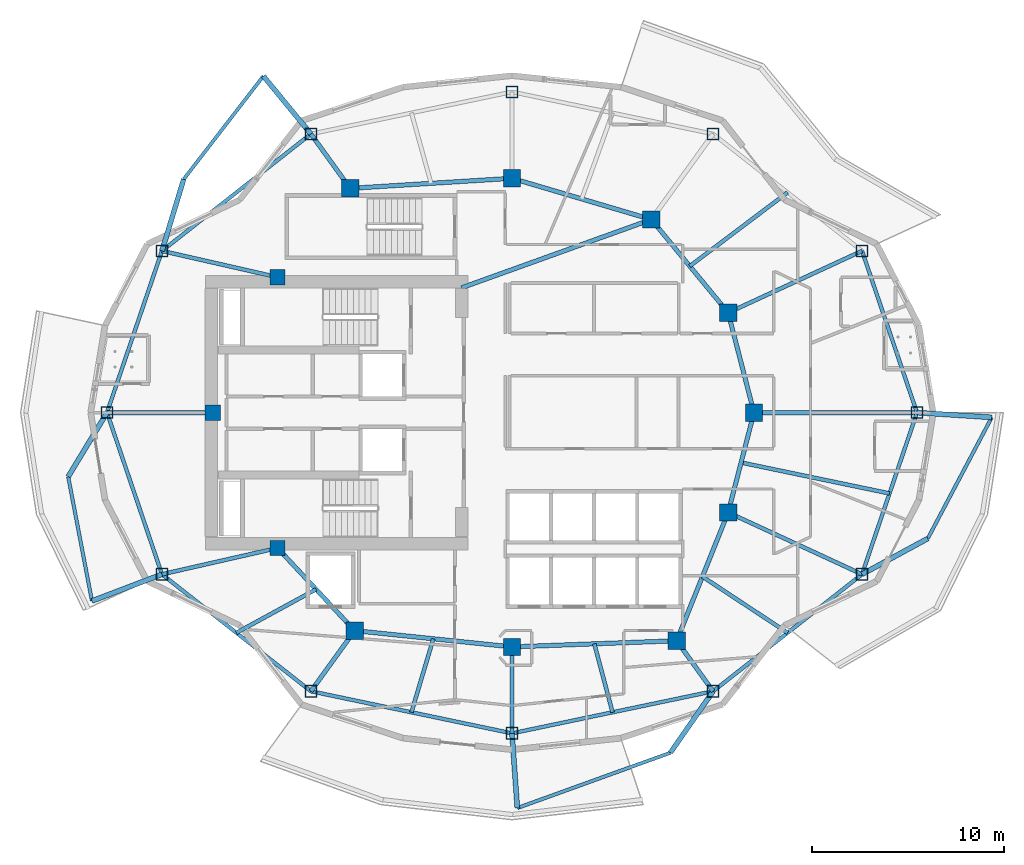
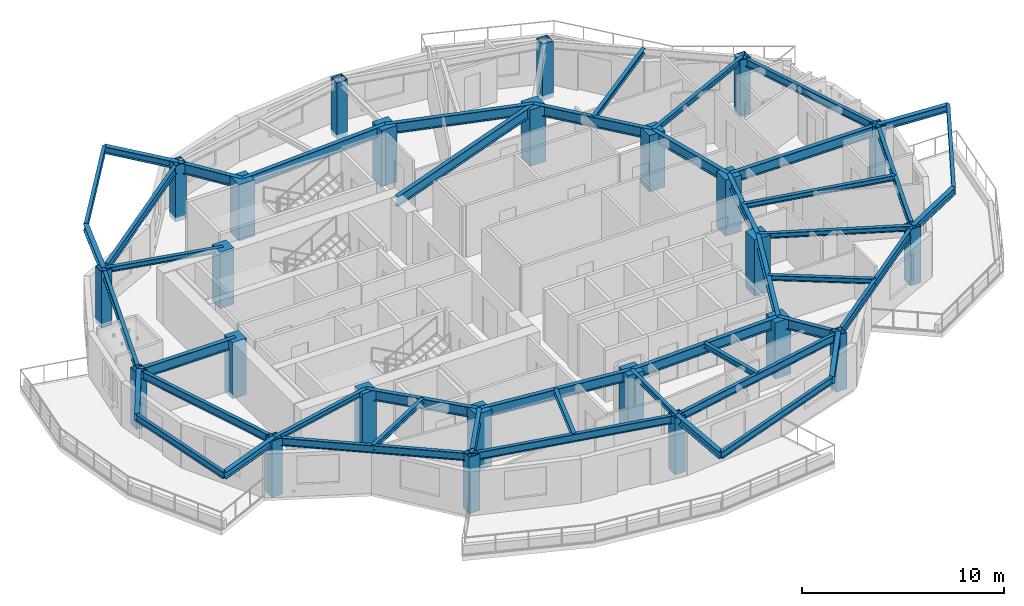
# One storey, part 1 of 13: 47 beams, 24 columns.
"""IFC4 building model written with IfcOpenShell, lengths in metres."""

from ifc_helpers import new_model, si_unit, direction, frame, origin, origin_2d, place, context, subcontext, project, spatial, rectangle, hollow_rectangle, i_section, extrude, material, material_profile, profile_set, type_object, element, save


model = new_model("IFC4")

# Units and contexts
model_context = context("Model", 3, precision=1e-05, world=origin(), true_north=direction((0.0, 1.0)))
body_context = subcontext(model_context, "Body", "Model", "MODEL_VIEW")
ifc_project = project(units=[si_unit("LENGTHUNIT", "METRE"), si_unit("AREAUNIT", "SQUARE_METRE"), si_unit("VOLUMEUNIT", "CUBIC_METRE"), si_unit("PLANEANGLEUNIT", "RADIAN"), si_unit("MASSUNIT", "GRAM", prefix="KILO")], contexts=[model_context])

# Site, building, storey
site_placement = place(None, origin())
site = spatial("IfcSite", under=ifc_project, at=site_placement, CompositionType="ELEMENT")
building_placement = place(site_placement, origin())
building = spatial("IfcBuilding", under=site, at=building_placement, Name="Kolvaren Gate Tower and Convention Centre", CompositionType="ELEMENT")
storey_placement = place(building_placement, frame((0.0, 0.0, 166.5)))
storey = spatial("IfcBuildingStorey", under=building, at=storey_placement, Name="L43", CompositionType="ELEMENT", Elevation=166.5)

# Columns
ifc_material_1 = material(Name="Structural steel ASTM A1085 Grade A 345 MPa", Category="steel")
ifc_material_profile_1 = material_profile(ifc_material_1, hollow_rectangle(XDim=0.610107421875, YDim=0.610107421875, WallThickness=0.025390625, at=origin_2d()), Name="HSS610X610X25.4")
ifc_profile_set_1 = profile_set([ifc_material_profile_1], Name="Structural steel ASTM A1085 Grade A 345 MPa")
column_type_1 = type_object("IfcColumnType", Name="STR-COL-HSS610", PredefinedType="COLUMN", material=ifc_profile_set_1)
for number, where, z_axis, x_axis, name in (
    (1, (51.21240234375, 27.0, -0.27001953125), (0.0, 0.0, 1.0), (1.0, 0.0, 0.0), "Tower L43 Perimeter Supercolumn TP-01"),
    (2, (48.351806640625, 35.418701171875, -0.27001953125), (0.0, 0.0, 1.0), (1.0, 0.0, 0.0), "Tower L43 Perimeter Supercolumn TP-02"),
    (3, (40.596435546875, 41.509521484375, -0.27001953125), (0.0, 0.0, 1.0), (1.0, 0.0, 0.0), "Tower L43 Perimeter Supercolumn TP-03"),
    (4, (30.125, 43.699951171875, -0.27001953125), (0.0, 0.0, 1.0), (1.0, 0.0, 0.0), "Tower L43 Perimeter Supercolumn TP-04"),
    (5, (19.65380859375, 41.509521484375, -0.27001953125), (0.0, 0.0, 1.0), (1.0, 0.0, 0.0), "Tower L43 Perimeter Supercolumn TP-05"),
    (6, (11.898193359375, 35.418701171875, -0.27001953125), (0.0, 0.0, 1.0), (1.0, 0.0, 0.0), "Tower L43 Perimeter Supercolumn TP-06"),
    (7, (9.03759765625, 27.0, -0.27001953125), (0.0, 0.0, 1.0), (1.0, 0.0, 0.0), "Tower L43 Perimeter Supercolumn TP-07"),
    (8, (11.898193359375, 18.581298828125, -0.27001953125), (0.0, 0.0, 1.0), (1.0, 0.0, 0.0), "Tower L43 Perimeter Supercolumn TP-08"),
    (9, (19.653564453125, 12.490478515625, -0.27001953125), (0.0, 0.0, 1.0), (1.0, 0.0, 0.0), "Tower L43 Perimeter Supercolumn TP-09"),
    (10, (30.125, 10.300048828125, -0.27001953125), (0.0, 0.0, 1.0), (1.0, 0.0, 0.0), "Tower L43 Perimeter Supercolumn TP-10"),
    (11, (40.596435546875, 12.490478515625, -0.27001953125), (0.0, 0.0, 1.0), (1.0, 0.0, 0.0), "Tower L43 Perimeter Supercolumn TP-11"),
    (12, (48.351806640625, 18.581298828125, -0.27001953125), (0.0, 0.0, 1.0), (1.0, 0.0, 0.0), "Tower L43 Perimeter Supercolumn TP-12"),
):
    element("IfcColumn", number, at=place(storey_placement, frame(where, z_axis=z_axis, x_axis=x_axis)), inside=storey, type_object=column_type_1, Name=name, PredefinedType="COLUMN", context=body_context, shape_type="SweptSolid", body=[
        extrude(hollow_rectangle(XDim=0.610107421875, YDim=0.610107421875, WallThickness=0.025390625, at=origin_2d()), origin(), (0.0, 0.0, 1.0), 3.39990234375),
    ])
ifc_material_2 = material(Name="Concrete C60/75", Category="concrete")
ifc_material_profile_2 = material_profile(ifc_material_2, rectangle(XDim=0.89990234375, YDim=0.89990234375, at=origin_2d()), Name="RC-COL-900X900")
ifc_profile_set_2 = profile_set([ifc_material_profile_2], Name="Concrete C60/75")
column_type_2 = type_object("IfcColumnType", Name="STR-COL-RC900", PredefinedType="COLUMN", material=ifc_profile_set_2)
for number, where, z_axis, x_axis, name in (
    (13, (42.72509765625, 27.0, -0.27001953125), (0.0, 0.0, 1.0), (1.0, 0.0, 0.0), "Tower L43 Interior Column TI-01"),
    (14, (41.382080078125, 32.199462890625, -0.27001953125), (0.0, 0.0, 1.0), (1.0, 0.0, 0.0), "Tower L43 Interior Column TI-02"),
    (15, (37.381591796875, 37.054931640625, -0.27001953125), (0.0, 0.0, 1.0), (1.0, 0.0, 0.0), "Tower L43 Interior Column TI-03"),
    (16, (30.125, 39.199951171875, -0.27001953125), (0.0, 0.0, 1.0), (1.0, 0.0, 0.0), "Tower L43 Interior Column TI-04"),
    (17, (21.697998046875, 38.6767578125, -0.27001953125), (0.0, 0.0, 1.0), (1.0, 0.0, 0.0), "Tower L43 Interior Column TI-05"),
    (18, (21.93212890625, 15.647705078125, -0.27001953125), (0.0, 0.0, 1.0), (1.0, 0.0, 0.0), "Tower L43 Interior Column TI-06"),
    (19, (30.125, 14.800048828125, -0.27001953125), (0.0, 0.0, 1.0), (1.0, 0.0, 0.0), "Tower L43 Interior Column TI-07"),
    (20, (38.6982421875, 15.12060546875, -0.27001953125), (0.0, 0.0, 1.0), (1.0, 0.0, 0.0), "Tower L43 Interior Column TI-08"),
    (21, (41.382080078125, 21.800537109375, -0.27001953125), (0.0, 0.0, 1.0), (1.0, 0.0, 0.0), "Tower L43 Interior Column TI-09"),
):
    element("IfcColumn", number, at=place(storey_placement, frame(where, z_axis=z_axis, x_axis=x_axis)), inside=storey, type_object=column_type_2, Name=name, PredefinedType="COLUMN", context=body_context, shape_type="SweptSolid", body=[
        extrude(rectangle(XDim=0.89990234375, YDim=0.89990234375, at=origin_2d()), origin(), (0.0, 0.0, 1.0), 3.39990234375),
    ])
ifc_material_profile_3 = material_profile(ifc_material_2, rectangle(XDim=0.800048828125, YDim=0.800048828125, at=origin_2d()), Name="RC-COL-800X800")
ifc_profile_set_3 = profile_set([ifc_material_profile_3], Name="Concrete C60/75")
column_type_3 = type_object("IfcColumnType", Name="STR-PIL-RC800", PredefinedType="PILASTER", material=ifc_profile_set_3)
for number, where, z_axis, x_axis, name in (
    (22, (17.9140625, 34.050048828125, -0.27001953125), (0.0, 0.0, 1.0), (1.0, 0.0, 0.0), "Tower L43 Core Boundary Pilaster TC-05"),
    (23, (14.550048828125, 27.0, -0.27001953125), (0.0, 0.0, 1.0), (1.0, 0.0, 0.0), "Tower L43 Core Boundary Pilaster TC-06"),
    (24, (17.9140625, 19.949951171875, -0.27001953125), (0.0, 0.0, 1.0), (1.0, 0.0, 0.0), "Tower L43 Core Boundary Pilaster TC-07"),
):
    element("IfcColumn", number, at=place(storey_placement, frame(where, z_axis=z_axis, x_axis=x_axis)), inside=storey, type_object=column_type_3, Name=name, PredefinedType="PILASTER", context=body_context, shape_type="SweptSolid", body=[
        extrude(rectangle(XDim=0.800048828125, YDim=0.800048828125, at=origin_2d()), origin(), (0.0, 0.0, 1.0), 3.39990234375),
    ])

# Beams
ifc_material_3 = material(Name="Structural steel ASTM A992 Grade 345 MPa", Category="steel")
ifc_material_profile_4 = material_profile(ifc_material_3, i_section(OverallWidth=0.260009765625, OverallDepth=0.419921875, WebThickness=0.013427734375, FlangeThickness=0.0224609375, at=origin_2d()), Name="W410X132")
ifc_profile_set_4 = profile_set([ifc_material_profile_4], Name="Structural steel ASTM A992 Grade 345 MPa")
beam_type_1 = type_object("IfcBeamType", Name="STR-BM-W410X132", PredefinedType="BEAM", material=ifc_profile_set_4)
beam_1_placement = place(storey_placement, frame((19.65380859375, 41.509521484375, 2.92041015625), z_axis=(-0.634372247597, 0.773027717148, 0.0), x_axis=(-0.773027717148, -0.634372247597, 0.0)))
element("IfcBeam", 25, at=beam_1_placement, inside=storey, type_object=beam_type_1, Name="Tower L44 Planted Balcony Outrigger Cantilever BC-1A", PredefinedType="BEAM", context=body_context, shape_type="SweptSolid", body=[
    extrude(i_section(OverallWidth=0.260009765625, OverallDepth=0.419921875, WebThickness=0.013427734375, FlangeThickness=0.0224609375, at=origin_2d()), origin(), (0.0, 0.0, 1.0), 3.900146484375),
])
for number, where, z_axis, x_axis, name in (
    (26, (11.898193359375, 35.418701171875, 2.92041015625), (0.290155075149, 0.956979640518, 0.0), (-0.956979640518, 0.290155075149, 0.0), "Tower L44 Planted Balcony Outrigger Cantilever BC-1B"),
    (27, (9.03759765625, 27.0, 2.92041015625), (-0.51832946338, -0.855181014401, 0.0), (0.855181014401, -0.51832946338, 0.0), "Tower L44 Planted Balcony Outrigger Cantilever BC-2A"),
    (28, (11.898193359375, 18.581298828125, 2.92041015625), (-0.934406389152, -0.356208786967, 0.0), (0.356208786967, -0.934406389152, 0.0), "Tower L44 Planted Balcony Outrigger Cantilever BC-2B"),
):
    element("IfcBeam", number, at=place(storey_placement, frame(where, z_axis=z_axis, x_axis=x_axis)), inside=storey, type_object=beam_type_1, Name=name, PredefinedType="BEAM", context=body_context, shape_type="SweptSolid", body=[
        extrude(i_section(OverallWidth=0.260009765625, OverallDepth=0.419921875, WebThickness=0.013427734375, FlangeThickness=0.0224609375, at=origin_2d()), origin(), (0.0, 0.0, 1.0), 3.89990234375),
    ])
for number, where, z_axis, x_axis, name in (
    (29, (30.125, 10.300048828125, 2.92041015625), (0.071238152604, -0.997459335318, 0.0), (0.997459335318, 0.071238152604, 0.0), "Tower L44 Planted Balcony Outrigger Cantilever BC-3A"),
    (30, (40.596435546875, 12.490478515625, 2.92041015625), (-0.57084620656, -0.821057006825, 0.0), (0.821057006825, -0.57084620656, 0.0), "Tower L44 Planted Balcony Outrigger Cantilever BC-3B"),
):
    element("IfcBeam", number, at=place(storey_placement, frame(where, z_axis=z_axis, x_axis=x_axis)), inside=storey, type_object=beam_type_1, Name=name, PredefinedType="BEAM", context=body_context, shape_type="SweptSolid", body=[
        extrude(i_section(OverallWidth=0.260009765625, OverallDepth=0.419921875, WebThickness=0.013427734375, FlangeThickness=0.0224609375, at=origin_2d()), origin(), (0.0, 0.0, 1.0), 3.900146484375),
    ])
for number, where, z_axis, x_axis, name in (
    (31, (48.351806640625, 18.581298828125, 2.92041015625), (0.878175335842, 0.47833887519, 0.0), (-0.47833887519, 0.878175335842, 0.0), "Tower L44 Planted Balcony Outrigger Cantilever BC-4A"),
    (32, (51.21240234375, 27.0, 2.92041015625), (0.997967389097, -0.063726684362, 0.0), (0.063726684362, 0.997967389097, 0.0), "Tower L44 Planted Balcony Outrigger Cantilever BC-4B"),
):
    element("IfcBeam", number, at=place(storey_placement, frame(where, z_axis=z_axis, x_axis=x_axis)), inside=storey, type_object=beam_type_1, Name=name, PredefinedType="BEAM", context=body_context, shape_type="SweptSolid", body=[
        extrude(i_section(OverallWidth=0.260009765625, OverallDepth=0.419921875, WebThickness=0.013427734375, FlangeThickness=0.0224609375, at=origin_2d()), origin(), (0.0, 0.0, 1.0), 3.89990234375),
    ])
ifc_material_profile_5 = material_profile(ifc_material_3, i_section(OverallWidth=0.22998046875, OverallDepth=0.616943359375, WebThickness=0.01318359375, FlangeThickness=0.022216796875, at=origin_2d()), Name="W610X140")
ifc_profile_set_5 = profile_set([ifc_material_profile_5], Name="Structural steel ASTM A992 Grade 345 MPa")
beam_type_2 = type_object("IfcBeamType", Name="STR-BM-W610X140", PredefinedType="BEAM", material=ifc_profile_set_5)
beam_2_placement = place(storey_placement, frame((42.72509765625, 27.0, 2.821533203125), z_axis=(-0.250091133936, -0.968222301296, 0.0), x_axis=(0.968222301296, -0.250091133936, 0.0)))
element("IfcBeam", 33, at=beam_2_placement, inside=storey, type_object=beam_type_2, Name="Tower L43 Primary Ring Girder G-01", PredefinedType="BEAM", context=body_context, shape_type="SweptSolid", body=[
    extrude(i_section(OverallWidth=0.22998046875, OverallDepth=0.616943359375, WebThickness=0.01318359375, FlangeThickness=0.022216796875, at=origin_2d()), origin(), (0.0, 0.0, 1.0), 5.3701171875),
])
beam_3_placement = place(storey_placement, frame((41.382080078125, 32.199462890625, 2.821533203125), z_axis=(-0.635884066011, 0.771784590798, 0.0), x_axis=(-0.771784590798, -0.635884066011, 0.0)))
element("IfcBeam", 34, at=beam_3_placement, inside=storey, type_object=beam_type_2, Name="Tower L43 Primary Ring Girder G-02", PredefinedType="BEAM", context=body_context, shape_type="SweptSolid", body=[
    extrude(i_section(OverallWidth=0.22998046875, OverallDepth=0.616943359375, WebThickness=0.01318359375, FlangeThickness=0.022216796875, at=origin_2d()), origin(), (0.0, 0.0, 1.0), 6.291259765625),
])
beam_4_placement = place(storey_placement, frame((37.381591796875, 37.054931640625, 2.821533203125), z_axis=(-0.958980837827, 0.283470902706, 0.0), x_axis=(-0.283470902706, -0.958980837827, 0.0)))
element("IfcBeam", 35, at=beam_4_placement, inside=storey, type_object=beam_type_2, Name="Tower L43 Primary Ring Girder G-03", PredefinedType="BEAM", context=body_context, shape_type="SweptSolid", body=[
    extrude(i_section(OverallWidth=0.22998046875, OverallDepth=0.616943359375, WebThickness=0.01318359375, FlangeThickness=0.022216796875, at=origin_2d()), origin(), (0.0, 0.0, 1.0), 7.56689453125),
])
beam_5_placement = place(storey_placement, frame((30.125, 39.199951171875, 2.821533203125), z_axis=(-0.998078258568, -0.06196603726, 0.0), x_axis=(0.06196603726, -0.998078258568, 0.0)))
element("IfcBeam", 36, at=beam_5_placement, inside=storey, type_object=beam_type_2, Name="Tower L43 Primary Ring Girder G-04", PredefinedType="BEAM", context=body_context, shape_type="SweptSolid", body=[
    extrude(i_section(OverallWidth=0.22998046875, OverallDepth=0.616943359375, WebThickness=0.01318359375, FlangeThickness=0.022216796875, at=origin_2d()), origin(), (0.0, 0.0, 1.0), 8.443115234375),
])
beam_6_placement = place(storey_placement, frame((17.9140625, 19.949951171875, 2.821533203125), z_axis=(0.682557592987, -0.730831808459, 0.0), x_axis=(0.730831808459, 0.682557592987, 0.0)))
element("IfcBeam", 37, at=beam_6_placement, inside=storey, type_object=beam_type_2, Name="Tower L43 Primary Ring Girder G-06", PredefinedType="BEAM", context=body_context, shape_type="SweptSolid", body=[
    extrude(i_section(OverallWidth=0.22998046875, OverallDepth=0.616943359375, WebThickness=0.01318359375, FlangeThickness=0.022216796875, at=origin_2d()), origin(), (0.0, 0.0, 1.0), 5.88671875),
])
beam_7_placement = place(storey_placement, frame((21.93212890625, 15.647705078125, 2.821533203125), z_axis=(0.994690329115, -0.102913308978, 0.0), x_axis=(0.102913308978, 0.994690329115, 0.0)))
element("IfcBeam", 38, at=beam_7_placement, inside=storey, type_object=beam_type_2, Name="Tower L43 Primary Ring Girder G-07", PredefinedType="BEAM", context=body_context, shape_type="SweptSolid", body=[
    extrude(i_section(OverallWidth=0.22998046875, OverallDepth=0.616943359375, WebThickness=0.01318359375, FlangeThickness=0.022216796875, at=origin_2d()), origin(), (0.0, 0.0, 1.0), 8.236572265625),
])
beam_8_placement = place(storey_placement, frame((30.125, 14.800048828125, 2.821533203125), z_axis=(0.999301712453, 0.037364254142, 0.0), x_axis=(-0.037364254142, 0.999301712453, 0.0)))
element("IfcBeam", 39, at=beam_8_placement, inside=storey, type_object=beam_type_2, Name="Tower L43 Primary Ring Girder G-08", PredefinedType="BEAM", context=body_context, shape_type="SweptSolid", body=[
    extrude(i_section(OverallWidth=0.22998046875, OverallDepth=0.616943359375, WebThickness=0.01318359375, FlangeThickness=0.022216796875, at=origin_2d()), origin(), (0.0, 0.0, 1.0), 8.579345703125),
])
beam_9_placement = place(storey_placement, frame((38.6982421875, 15.12060546875, 2.821533203125), z_axis=(0.372811100169, 0.927907260232, 0.0), x_axis=(-0.927907260232, 0.372811100169, 0.0)))
element("IfcBeam", 40, at=beam_9_placement, inside=storey, type_object=beam_type_2, Name="Tower L43 Primary Ring Girder G-09", PredefinedType="BEAM", context=body_context, shape_type="SweptSolid", body=[
    extrude(i_section(OverallWidth=0.22998046875, OverallDepth=0.616943359375, WebThickness=0.01318359375, FlangeThickness=0.022216796875, at=origin_2d()), origin(), (0.0, 0.0, 1.0), 7.198974609375),
])
beam_10_placement = place(storey_placement, frame((27.5, 33.5, 2.821533203125), z_axis=(0.940961479908, 0.338513653093, 0.0), x_axis=(-0.338513653093, 0.940961479908, 0.0)))
element("IfcBeam", 41, at=beam_10_placement, inside=storey, type_object=beam_type_2, Name="Tower L43 Primary Ring Girder G-10", PredefinedType="BEAM", context=body_context, shape_type="SweptSolid", body=[
    extrude(i_section(OverallWidth=0.22998046875, OverallDepth=0.616943359375, WebThickness=0.01318359375, FlangeThickness=0.022216796875, at=origin_2d()), origin(), (0.0, 0.0, 1.0), 10.501708984375),
])
beam_11_placement = place(storey_placement, frame((42.72509765625, 27.0, 2.821533203125), z_axis=(-0.250091133936, 0.968222301296, 0.0), x_axis=(-0.968222301296, -0.250091133936, 0.0)))
element("IfcBeam", 42, at=beam_11_placement, inside=storey, type_object=beam_type_2, Name="Tower L43 Primary Ring Girder G-12", PredefinedType="BEAM", context=body_context, shape_type="SweptSolid", body=[
    extrude(i_section(OverallWidth=0.22998046875, OverallDepth=0.616943359375, WebThickness=0.01318359375, FlangeThickness=0.022216796875, at=origin_2d()), origin(), (0.0, 0.0, 1.0), 5.3701171875),
])
beam_12_placement = place(storey_placement, frame((42.72509765625, 27.0, 2.821533203125), z_axis=(1.0, 0.0, 0.0), x_axis=(0.0, 1.0, 0.0)))
element("IfcBeam", 43, at=beam_12_placement, inside=storey, type_object=beam_type_2, Name="Tower L43 Radial Floor Girder RB-01", PredefinedType="BEAM", context=body_context, shape_type="SweptSolid", body=[
    extrude(i_section(OverallWidth=0.22998046875, OverallDepth=0.616943359375, WebThickness=0.01318359375, FlangeThickness=0.022216796875, at=origin_2d()), origin(), (0.0, 0.0, 1.0), 8.4873046875),
])
beam_13_placement = place(storey_placement, frame((21.697998046875, 38.6767578125, 2.821533203125), z_axis=(-0.585171547435, 0.810909526441, 0.0), x_axis=(-0.810909526441, -0.585171547435, 0.0)))
element("IfcBeam", 44, at=beam_13_placement, inside=storey, type_object=beam_type_2, Name="Tower L43 Radial Floor Girder RB-05", PredefinedType="BEAM", context=body_context, shape_type="SweptSolid", body=[
    extrude(i_section(OverallWidth=0.22998046875, OverallDepth=0.616943359375, WebThickness=0.01318359375, FlangeThickness=0.022216796875, at=origin_2d()), origin(), (0.0, 0.0, 1.0), 3.493408203125),
])
beam_14_placement = place(storey_placement, frame((14.550048828125, 27.0, 2.821533203125), z_axis=(-1.0, 0.0, 0.0), x_axis=(0.0, -1.0, 0.0)))
element("IfcBeam", 45, at=beam_14_placement, inside=storey, type_object=beam_type_2, Name="Tower L43 Radial Floor Girder RB-07", PredefinedType="BEAM", context=body_context, shape_type="SweptSolid", body=[
    extrude(i_section(OverallWidth=0.22998046875, OverallDepth=0.616943359375, WebThickness=0.01318359375, FlangeThickness=0.022216796875, at=origin_2d()), origin(), (0.0, 0.0, 1.0), 5.512451171875),
])
beam_15_placement = place(storey_placement, frame((21.93212890625, 15.647705078125, 2.821533203125), z_axis=(-0.585211215329, -0.810880899672, 0.0), x_axis=(0.810880899672, -0.585211215329, 0.0)))
element("IfcBeam", 46, at=beam_15_placement, inside=storey, type_object=beam_type_2, Name="Tower L43 Radial Floor Girder RB-09", PredefinedType="BEAM", context=body_context, shape_type="SweptSolid", body=[
    extrude(i_section(OverallWidth=0.22998046875, OverallDepth=0.616943359375, WebThickness=0.01318359375, FlangeThickness=0.022216796875, at=origin_2d()), origin(), (0.0, 0.0, 1.0), 3.8935546875),
])
beam_16_placement = place(storey_placement, frame((38.6982421875, 15.12060546875, 2.821533203125), z_axis=(0.58521845229, -0.810875676722, 0.0), x_axis=(0.810875676722, 0.58521845229, 0.0)))
element("IfcBeam", 47, at=beam_16_placement, inside=storey, type_object=beam_type_2, Name="Tower L43 Radial Floor Girder RB-11", PredefinedType="BEAM", context=body_context, shape_type="SweptSolid", body=[
    extrude(i_section(OverallWidth=0.22998046875, OverallDepth=0.616943359375, WebThickness=0.01318359375, FlangeThickness=0.022216796875, at=origin_2d()), origin(), (0.0, 0.0, 1.0), 3.24365234375),
])
ifc_material_profile_6 = material_profile(ifc_material_3, i_section(OverallWidth=0.205078125, OverallDepth=0.31005859375, WebThickness=0.009521484375, FlangeThickness=0.016357421875, at=origin_2d()), Name="W310X74")
ifc_profile_set_6 = profile_set([ifc_material_profile_6], Name="Structural steel ASTM A992 Grade 345 MPa")
beam_type_3 = type_object("IfcBeamType", Name="STR-JS-W310X74", PredefinedType="JOIST", material=ifc_profile_set_6)
beam_17_placement = place(storey_placement, frame((41.382080078125, 32.199462890625, 2.97509765625), z_axis=(0.907838349939, 0.419320319542, 0.0), x_axis=(-0.419320319542, 0.907838349939, 0.0)))
element("IfcBeam", 48, at=beam_17_placement, inside=storey, type_object=beam_type_3, Name="Tower L43 Radial Floor Girder RB-02", PredefinedType="JOIST", context=body_context, shape_type="SweptSolid", body=[
    extrude(i_section(OverallWidth=0.205078125, OverallDepth=0.31005859375, WebThickness=0.009521484375, FlangeThickness=0.016357421875, at=origin_2d()), origin(), (0.0, 0.0, 1.0), 7.67724609375),
])
for number, where, z_axis, x_axis, name in (
    (49, (17.9140625, 34.050048828125, 2.97509765625), (-0.975083464295, 0.221838314226, 0.0), (-0.221838314226, -0.975083464295, 0.0), "Tower L43 Radial Floor Girder RB-06"),
    (50, (17.9140625, 19.949951171875, 2.97509765625), (-0.975083464295, -0.221838314226, 0.0), (0.221838314226, -0.975083464295, 0.0), "Tower L43 Radial Floor Girder RB-08"),
):
    element("IfcBeam", number, at=place(storey_placement, frame(where, z_axis=z_axis, x_axis=x_axis)), inside=storey, type_object=beam_type_3, Name=name, PredefinedType="JOIST", context=body_context, shape_type="SweptSolid", body=[
        extrude(i_section(OverallWidth=0.205078125, OverallDepth=0.31005859375, WebThickness=0.009521484375, FlangeThickness=0.016357421875, at=origin_2d()), origin(), (0.0, 0.0, 1.0), 6.169677734375),
    ])
beam_18_placement = place(storey_placement, frame((30.125, 14.800048828125, 2.97509765625), z_axis=(0.0, -1.0, 0.0), x_axis=(1.0, 0.0, 0.0)))
element("IfcBeam", 51, at=beam_18_placement, inside=storey, type_object=beam_type_3, Name="Tower L43 Radial Floor Girder RB-10", PredefinedType="JOIST", context=body_context, shape_type="SweptSolid", body=[
    extrude(i_section(OverallWidth=0.205078125, OverallDepth=0.31005859375, WebThickness=0.009521484375, FlangeThickness=0.016357421875, at=origin_2d()), origin(), (0.0, 0.0, 1.0), 4.5),
])
beam_19_placement = place(storey_placement, frame((41.382080078125, 21.800537109375, 2.97509765625), z_axis=(0.907838349939, -0.419320319542, 0.0), x_axis=(0.419320319542, 0.907838349939, 0.0)))
element("IfcBeam", 52, at=beam_19_placement, inside=storey, type_object=beam_type_3, Name="Tower L43 Radial Floor Girder RB-12", PredefinedType="JOIST", context=body_context, shape_type="SweptSolid", body=[
    extrude(i_section(OverallWidth=0.205078125, OverallDepth=0.31005859375, WebThickness=0.009521484375, FlangeThickness=0.016357421875, at=origin_2d()), origin(), (0.0, 0.0, 1.0), 7.67724609375),
])
beam_20_placement = place(storey_placement, frame((39.3818359375, 34.627197265625, 2.97509765625), z_axis=(0.798665513939, 0.601775204577, 0.0), x_axis=(-0.601775204577, 0.798665513939, 0.0)))
element("IfcBeam", 53, at=beam_20_placement, inside=storey, type_object=beam_type_3, Name="Tower L43 Secondary Composite Floor Joist J-02.1", PredefinedType="JOIST", context=body_context, shape_type="SweptSolid", body=[
    extrude(i_section(OverallWidth=0.205078125, OverallDepth=0.31005859375, WebThickness=0.009521484375, FlangeThickness=0.016357421875, at=origin_2d()), origin(), (0.0, 0.0, 1.0), 6.3759765625),
])
beam_21_placement = place(storey_placement, frame((19.923095703125, 17.798828125, 2.97509765625), z_axis=(-0.877822491981, -0.478986088078, 0.0), x_axis=(0.478986088078, -0.877822491981, 0.0)))
element("IfcBeam", 54, at=beam_21_placement, inside=storey, type_object=beam_type_3, Name="Tower L43 Secondary Composite Floor Joist J-08.1", PredefinedType="JOIST", context=body_context, shape_type="SweptSolid", body=[
    extrude(i_section(OverallWidth=0.205078125, OverallDepth=0.31005859375, WebThickness=0.009521484375, FlangeThickness=0.016357421875, at=origin_2d()), origin(), (0.0, 0.0, 1.0), 4.724365234375),
])
beam_22_placement = place(storey_placement, frame((26.028564453125, 15.223876953125, 2.97509765625), z_axis=(-0.28518274301, -0.958473162425, 0.0), x_axis=(0.958473162425, -0.28518274301, 0.0)))
element("IfcBeam", 55, at=beam_22_placement, inside=storey, type_object=beam_type_3, Name="Tower L43 Secondary Composite Floor Joist J-09.1", PredefinedType="JOIST", context=body_context, shape_type="SweptSolid", body=[
    extrude(i_section(OverallWidth=0.205078125, OverallDepth=0.31005859375, WebThickness=0.009521484375, FlangeThickness=0.016357421875, at=origin_2d()), origin(), (0.0, 0.0, 1.0), 3.994384765625),
])
beam_23_placement = place(storey_placement, frame((34.41162109375, 14.960205078125, 2.97509765625), z_axis=(0.257238365181, -0.966347982602, 0.0), x_axis=(0.966347982602, 0.257238365181, 0.0)))
element("IfcBeam", 56, at=beam_23_placement, inside=storey, type_object=beam_type_3, Name="Tower L43 Secondary Composite Floor Joist J-10.1", PredefinedType="JOIST", context=body_context, shape_type="SweptSolid", body=[
    extrude(i_section(OverallWidth=0.205078125, OverallDepth=0.31005859375, WebThickness=0.009521484375, FlangeThickness=0.016357421875, at=origin_2d()), origin(), (0.0, 0.0, 1.0), 3.68896484375),
])
beam_24_placement = place(storey_placement, frame((40.040283203125, 18.46044921875, 2.97509765625), z_axis=(0.834762790112, -0.550609738602, 0.0), x_axis=(0.550609738602, 0.834762790112, 0.0)))
element("IfcBeam", 57, at=beam_24_placement, inside=storey, type_object=beam_type_3, Name="Tower L43 Secondary Composite Floor Joist J-11.1", PredefinedType="JOIST", context=body_context, shape_type="SweptSolid", body=[
    extrude(i_section(OverallWidth=0.205078125, OverallDepth=0.31005859375, WebThickness=0.009521484375, FlangeThickness=0.016357421875, at=origin_2d()), origin(), (0.0, 0.0, 1.0), 5.3115234375),
])
beam_25_placement = place(storey_placement, frame((42.0537109375, 24.400146484375, 2.97509765625), z_axis=(0.978997655145, -0.203871506641, 0.0), x_axis=(0.203871506641, 0.978997655145, 0.0)))
element("IfcBeam", 58, at=beam_25_placement, inside=storey, type_object=beam_type_3, Name="Tower L43 Secondary Composite Floor Joist J-12.1", PredefinedType="JOIST", context=body_context, shape_type="SweptSolid", body=[
    extrude(i_section(OverallWidth=0.205078125, OverallDepth=0.31005859375, WebThickness=0.009521484375, FlangeThickness=0.016357421875, at=origin_2d()), origin(), (0.0, 0.0, 1.0), 7.89404296875),
])
ifc_material_profile_7 = material_profile(ifc_material_3, i_section(OverallWidth=0.180908203125, OverallDepth=0.4169921875, WebThickness=0.010986328125, FlangeThickness=0.018310546875, at=origin_2d()), Name="W410X85")
ifc_profile_set_7 = profile_set([ifc_material_profile_7], Name="Structural steel ASTM A992 Grade 345 MPa")
beam_type_4 = type_object("IfcBeamType", Name="STR-SP-W410X85", PredefinedType="SPANDREL", material=ifc_profile_set_7)
beam_26_placement = place(storey_placement, frame((17.1796875, 44.5244140625, 2.922119140625), z_axis=(-0.611228468279, -0.791454205602, 0.0), x_axis=(0.791454205602, -0.611228468279, 0.0)))
element("IfcBeam", 59, at=beam_26_placement, inside=storey, type_object=beam_type_4, Name="Tower L44 Planted Balcony Header Tie Beam BT-1", PredefinedType="SPANDREL", context=body_context, shape_type="SweptSolid", body=[
    extrude(i_section(OverallWidth=0.180908203125, OverallDepth=0.4169921875, WebThickness=0.010986328125, FlangeThickness=0.018310546875, at=origin_2d()), origin(), (0.0, 0.0, 1.0), 6.78955078125),
])
beam_27_placement = place(storey_placement, frame((7.01611328125, 23.664794921875, 2.922119140625), z_axis=(0.187866209954, -0.982194627942, 0.0), x_axis=(0.982194627942, 0.187866209954, 0.0)))
element("IfcBeam", 60, at=beam_27_placement, inside=storey, type_object=beam_type_4, Name="Tower L44 Planted Balcony Header Tie Beam BT-2", PredefinedType="SPANDREL", context=body_context, shape_type="SweptSolid", body=[
    extrude(i_section(OverallWidth=0.180908203125, OverallDepth=0.4169921875, WebThickness=0.010986328125, FlangeThickness=0.018310546875, at=origin_2d()), origin(), (0.0, 0.0, 1.0), 6.590087890625),
])
beam_28_placement = place(storey_placement, frame((30.40283203125, 6.409912109375, 2.922119140625), z_axis=(0.940503253062, 0.339784683263, 0.0), x_axis=(-0.339784683263, 0.940503253062, 0.0)))
element("IfcBeam", 61, at=beam_28_placement, inside=storey, type_object=beam_type_4, Name="Tower L44 Planted Balcony Header Tie Beam BT-3", PredefinedType="SPANDREL", context=body_context, shape_type="SweptSolid", body=[
    extrude(i_section(OverallWidth=0.180908203125, OverallDepth=0.4169921875, WebThickness=0.010986328125, FlangeThickness=0.018310546875, at=origin_2d()), origin(), (0.0, 0.0, 1.0), 8.47119140625),
])
beam_29_placement = place(storey_placement, frame((51.776611328125, 20.44677734375, 2.922119140625), z_axis=(0.466803260322, 0.884361191003, 0.0), x_axis=(-0.884361191003, 0.466803260322, 0.0)))
element("IfcBeam", 62, at=beam_29_placement, inside=storey, type_object=beam_type_4, Name="Tower L44 Planted Balcony Header Tie Beam BT-4", PredefinedType="SPANDREL", context=body_context, shape_type="SweptSolid", body=[
    extrude(i_section(OverallWidth=0.180908203125, OverallDepth=0.4169921875, WebThickness=0.010986328125, FlangeThickness=0.018310546875, at=origin_2d()), origin(), (0.0, 0.0, 1.0), 7.129150390625),
])
ifc_material_profile_8 = material_profile(ifc_material_3, i_section(OverallWidth=0.194091796875, OverallDepth=0.468994140625, WebThickness=0.0126953125, FlangeThickness=0.0205078125, at=origin_2d()), Name="W460X106")
ifc_profile_set_8 = profile_set([ifc_material_profile_8], Name="Structural steel ASTM A992 Grade 345 MPa")
beam_type_5 = type_object("IfcBeamType", Name="STR-SP-W460X106", PredefinedType="SPANDREL", material=ifc_profile_set_8)
beam_30_placement = place(storey_placement, frame((51.21240234375, 27.0, 2.8955078125), z_axis=(-0.321725023609, 0.946833147489, 0.0), x_axis=(-0.946833147489, -0.321725023609, 0.0)))
element("IfcBeam", 63, at=beam_30_placement, inside=storey, type_object=beam_type_5, Name="Tower L43 Perimeter Spandrel Beam SP-01", PredefinedType="SPANDREL", context=body_context, shape_type="SweptSolid", body=[
    extrude(i_section(OverallWidth=0.194091796875, OverallDepth=0.468994140625, WebThickness=0.0126953125, FlangeThickness=0.0205078125, at=origin_2d()), origin(), (0.0, 0.0, 1.0), 8.891357421875),
])
beam_31_placement = place(storey_placement, frame((19.65380859375, 41.509521484375, 2.8955078125), z_axis=(-0.786460066421, -0.617641128752, 0.0), x_axis=(0.617641128752, -0.786460066421, 0.0)))
element("IfcBeam", 64, at=beam_31_placement, inside=storey, type_object=beam_type_5, Name="Tower L43 Perimeter Spandrel Beam SP-05", PredefinedType="SPANDREL", context=body_context, shape_type="SweptSolid", body=[
    extrude(i_section(OverallWidth=0.194091796875, OverallDepth=0.468994140625, WebThickness=0.0126953125, FlangeThickness=0.0205078125, at=origin_2d()), origin(), (0.0, 0.0, 1.0), 9.861328125),
])
for number, where, z_axis, x_axis, name in (
    (65, (11.898193359375, 35.418701171875, 2.8955078125), (-0.321725023609, -0.946833147489, 0.0), (0.946833147489, -0.321725023609, 0.0), "Tower L43 Perimeter Spandrel Beam SP-06"),
    (66, (9.03759765625, 27.0, 2.8955078125), (0.321725023609, -0.946833147489, 0.0), (0.946833147489, 0.321725023609, 0.0), "Tower L43 Perimeter Spandrel Beam SP-07"),
):
    element("IfcBeam", number, at=place(storey_placement, frame(where, z_axis=z_axis, x_axis=x_axis)), inside=storey, type_object=beam_type_5, Name=name, PredefinedType="SPANDREL", context=body_context, shape_type="SweptSolid", body=[
        extrude(i_section(OverallWidth=0.194091796875, OverallDepth=0.468994140625, WebThickness=0.0126953125, FlangeThickness=0.0205078125, at=origin_2d()), origin(), (0.0, 0.0, 1.0), 8.891357421875),
    ])
beam_32_placement = place(storey_placement, frame((11.898193359375, 18.581298828125, 2.8955078125), z_axis=(0.786450621777, -0.617653154697, 0.0), x_axis=(0.617653154697, 0.786450621777, 0.0)))
element("IfcBeam", 67, at=beam_32_placement, inside=storey, type_object=beam_type_5, Name="Tower L43 Perimeter Spandrel Beam SP-08", PredefinedType="SPANDREL", context=body_context, shape_type="SweptSolid", body=[
    extrude(i_section(OverallWidth=0.194091796875, OverallDepth=0.468994140625, WebThickness=0.0126953125, FlangeThickness=0.0205078125, at=origin_2d()), origin(), (0.0, 0.0, 1.0), 9.861328125),
])
for number, where, z_axis, x_axis, name in (
    (68, (19.653564453125, 12.490478515625, 2.8955078125), (0.978814350133, -0.204749769168, 0.0), (0.204749769168, 0.978814350133, 0.0), "Tower L43 Perimeter Spandrel Beam SP-09"),
    (69, (30.125, 10.300048828125, 2.8955078125), (0.978814350133, 0.204749769168, 0.0), (-0.204749769168, 0.978814350133, 0.0), "Tower L43 Perimeter Spandrel Beam SP-10"),
):
    element("IfcBeam", number, at=place(storey_placement, frame(where, z_axis=z_axis, x_axis=x_axis)), inside=storey, type_object=beam_type_5, Name=name, PredefinedType="SPANDREL", context=body_context, shape_type="SweptSolid", body=[
        extrude(i_section(OverallWidth=0.194091796875, OverallDepth=0.468994140625, WebThickness=0.0126953125, FlangeThickness=0.0205078125, at=origin_2d()), origin(), (0.0, 0.0, 1.0), 10.697998046875),
    ])
beam_33_placement = place(storey_placement, frame((40.596435546875, 12.490478515625, 2.8955078125), z_axis=(0.786450621777, 0.617653154697, 0.0), x_axis=(-0.617653154697, 0.786450621777, 0.0)))
element("IfcBeam", 70, at=beam_33_placement, inside=storey, type_object=beam_type_5, Name="Tower L43 Perimeter Spandrel Beam SP-11", PredefinedType="SPANDREL", context=body_context, shape_type="SweptSolid", body=[
    extrude(i_section(OverallWidth=0.194091796875, OverallDepth=0.468994140625, WebThickness=0.0126953125, FlangeThickness=0.0205078125, at=origin_2d()), origin(), (0.0, 0.0, 1.0), 9.861328125),
])
beam_34_placement = place(storey_placement, frame((48.351806640625, 18.581298828125, 2.8955078125), z_axis=(0.321725023609, 0.946833147489, 0.0), x_axis=(-0.946833147489, 0.321725023609, 0.0)))
element("IfcBeam", 71, at=beam_34_placement, inside=storey, type_object=beam_type_5, Name="Tower L43 Perimeter Spandrel Beam SP-12", PredefinedType="SPANDREL", context=body_context, shape_type="SweptSolid", body=[
    extrude(i_section(OverallWidth=0.194091796875, OverallDepth=0.468994140625, WebThickness=0.0126953125, FlangeThickness=0.0205078125, at=origin_2d()), origin(), (0.0, 0.0, 1.0), 8.891357421875),
])

save(model, "model.ifc")
